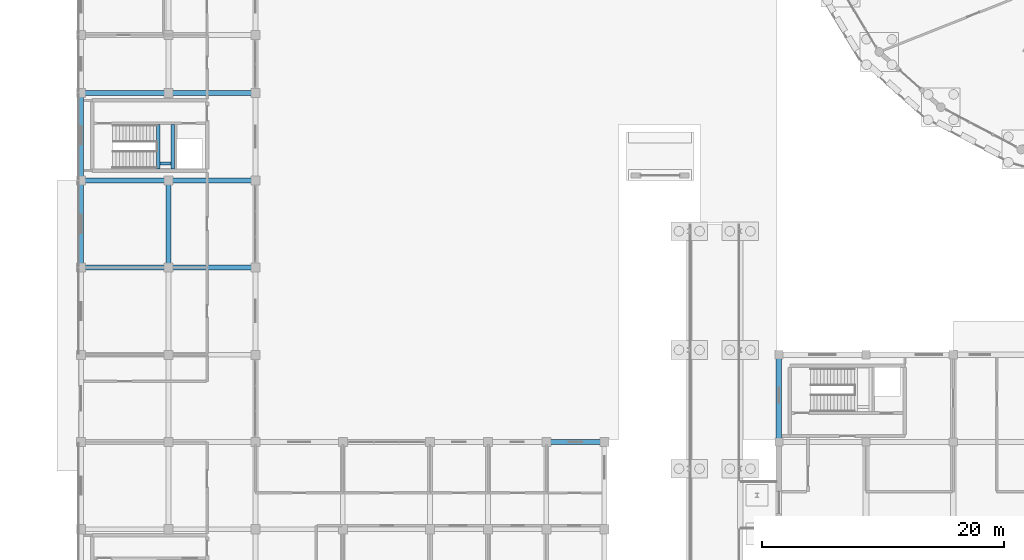
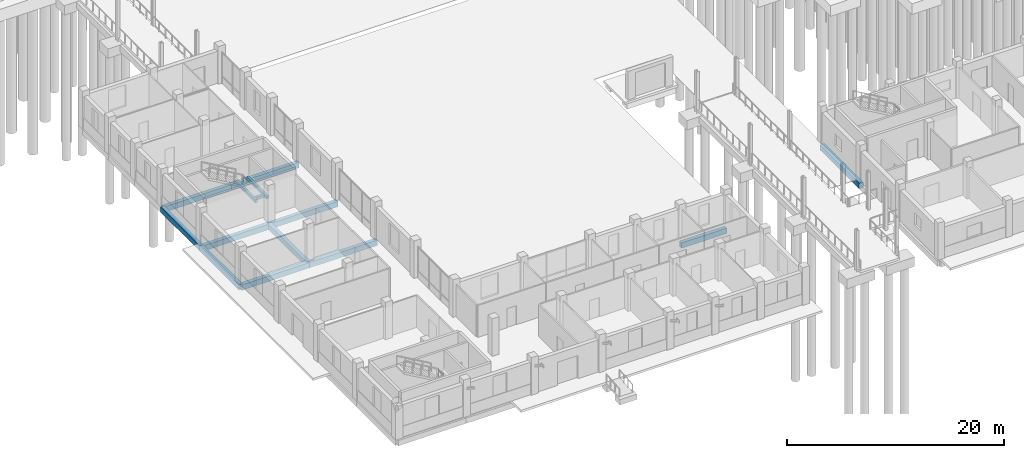
# One storey, part 23 of 98: 14 beams.
"""IFC4 building model written with IfcOpenShell, lengths in metres."""

import ifcopenshell
import ifcopenshell.guid

model = None  # the IFC model being written
_history = None  # IfcOwnerHistory: only IFC2X3 demands one
_inside = {}  # id of a spatial element -> (the spatial element, [elements in it])
_under = {}  # id of a project, library or spatial element -> (it, [spatial elements below it])
_declared = {}  # id of a project -> (the project, [libraries it declares])
_typed = {}  # id of a type object -> (the type object, [elements of that type])
_made_of = {}  # id of a material, layer set ... -> (it, [elements and type objects made of it])


def new_model(schema):
    """Start an empty IFC model of exactly this schema.

    Asked for "IFC4X3", IfcOpenShell would pick the latest addendum, in which some entities
    have other attributes; the version numbers below select the first issue.
    IFC2X3 requires an IfcOwnerHistory on every rooted entity: one is made here for all.
    """
    global model, _history
    if schema == "IFC4X3":
        model = ifcopenshell.file(schema_version=(4, 3, 0, 0))
    else:
        model = ifcopenshell.file(schema=schema)
    _inside.clear()
    _under.clear()
    _declared.clear()
    _typed.clear()
    _made_of.clear()
    _history = None
    if model.schema == "IFC2X3":
        org = make("IfcOrganization", Name="unknown")
        user = make(
            "IfcPersonAndOrganization",
            ThePerson=make("IfcPerson", FamilyName="unknown"),
            TheOrganization=org,
        )
        app = make(
            "IfcApplication",
            ApplicationDeveloper=org,
            Version="unknown",
            ApplicationFullName="unknown",
            ApplicationIdentifier="unknown",
        )
        _history = make(
            "IfcOwnerHistory",
            OwningUser=user,
            OwningApplication=app,
            ChangeAction="ADDED",
            CreationDate=0,
        )
    return model


def make(cls, **values):
    """One entity of the class cls with the attributes given. An attribute that is None is left unset."""
    return model.create_entity(
        cls, **{name: value for name, value in values.items() if value is not None}
    )


def rooted(cls, **values):
    """An entity with a GlobalId (a new one), such as an element, a storey or a relation."""
    return make(cls, GlobalId=ifcopenshell.guid.new(), OwnerHistory=_history, **values)


def si_unit(unit_type, name, prefix=None):
    """IfcSIUnit, for example si_unit("LENGTHUNIT", "METRE", prefix="MILLI")."""
    return make("IfcSIUnit", UnitType=unit_type, Prefix=prefix, Name=name)


def assignment(units):
    """IfcUnitAssignment: the units of a project."""
    return None if units is None else make("IfcUnitAssignment", Units=units)


def point(xyz):
    """IfcCartesianPoint."""
    return None if xyz is None else make("IfcCartesianPoint", Coordinates=xyz)


def direction(xyz):
    """IfcDirection."""
    return None if xyz is None else make("IfcDirection", DirectionRatios=xyz)


def frame(location, z_axis=None, x_axis=None):
    """IfcAxis2Placement3D, a coordinate frame: its origin and axes. An axis left out is left unset."""
    return make(
        "IfcAxis2Placement3D",
        Location=point(location),
        Axis=direction(z_axis),
        RefDirection=direction(x_axis),
    )


def frame_2d(location, x_axis=None):
    """IfcAxis2Placement2D, a coordinate frame in the plane: its origin and x axis."""
    return make(
        "IfcAxis2Placement2D", Location=point(location), RefDirection=direction(x_axis)
    )


def origin():
    """The frame at (0, 0, 0) with its axes left unset."""
    return frame((0.0, 0.0, 0.0))


def origin_2d():
    """The frame at (0, 0) in the plane with its x axis left unset."""
    return frame_2d((0.0, 0.0))


def place(relative_to, where):
    """IfcLocalPlacement: puts the frame where relative to a parent placement (None: the world)."""
    return make(
        "IfcLocalPlacement", PlacementRelTo=relative_to, RelativePlacement=where
    )


def context(
    kind, dimensions, precision=None, world=None, true_north=None, identifier=None
):
    """IfcGeometricRepresentationContext, for example the 3D "Model" context."""
    return make(
        "IfcGeometricRepresentationContext",
        ContextIdentifier=identifier,
        ContextType=kind,
        CoordinateSpaceDimension=dimensions,
        Precision=precision,
        WorldCoordinateSystem=world,
        TrueNorth=true_north,
    )


def subcontext(parent, identifier, kind, view, scale=None):
    """IfcGeometricRepresentationSubContext, for example "Body" below "Model"."""
    return make(
        "IfcGeometricRepresentationSubContext",
        ContextIdentifier=identifier,
        ContextType=kind,
        ParentContext=parent,
        TargetScale=scale,
        TargetView=view,
    )


def project(units=None, contexts=None):
    """IfcProject with its units and contexts."""
    return rooted(
        "IfcProject",
        Name="project",
        RepresentationContexts=contexts,
        UnitsInContext=assignment(units),
    )


def spatial(cls, under=None, at=None, **own):
    """A site, building, storey or space (cls), placed at a placement, below another one or the project."""
    s = rooted(cls, ObjectPlacement=at, **own)
    if under is not None:
        _under.setdefault(under.id(), (under, []))[1].append(s)
    return s


def profile(cls, at=None, kind="AREA", **sizes):
    """A parametric profile (cls). Its sizes go by their IFC names, for example OverallWidth=200.0."""
    return make(cls, ProfileType=kind, Position=at, **sizes)


def rectangle(**sizes):
    """IfcRectangleProfileDef."""
    return profile("IfcRectangleProfileDef", **sizes)


def extrude(swept, where, along, depth):
    """IfcExtrudedAreaSolid: the profile swept, set in the frame where, extruded along a direction by depth."""
    return make(
        "IfcExtrudedAreaSolid",
        SweptArea=swept,
        Position=where,
        ExtrudedDirection=direction(along),
        Depth=depth,
    )


def shape(context_of_items, identifier, shape_type, items):
    """IfcShapeRepresentation: the items that make up one representation, for example the "Body"."""
    return make(
        "IfcShapeRepresentation",
        ContextOfItems=context_of_items,
        RepresentationIdentifier=identifier,
        RepresentationType=shape_type,
        Items=items,
    )


def material(Name=None, Category=None):
    """IfcMaterial."""
    return make("IfcMaterial", Name=Name, Category=Category)


def material_profile(
    of_material, cross_section, Name=None, Category=None, Priority=None
):
    """IfcMaterialProfile: a cross section and its material."""
    return make(
        "IfcMaterialProfile",
        Name=Name,
        Material=of_material,
        Profile=cross_section,
        Priority=Priority,
        Category=Category,
    )


def profile_set(profiles, Name=None, composite=None):
    """IfcMaterialProfileSet."""
    return make(
        "IfcMaterialProfileSet",
        Name=Name,
        MaterialProfiles=profiles,
        CompositeProfile=composite,
    )


def made_of(thing, what):
    """Note that an element or type object is made of a material, layer set ...; save() writes the relation."""
    if what is not None:
        _made_of.setdefault(what.id(), (what, []))[1].append(thing)
    return thing


def type_object(cls, material=None, **own):
    """A type object (cls), such as IfcWallType, which elements share."""
    return made_of(rooted(cls, **own), material)


def element(
    cls,
    number,
    at=None,
    inside=None,
    cuts=None,
    type_object=None,
    material=None,
    context=None,
    identifier="Body",
    shape_type=None,
    held_by="IfcProductDefinitionShape",
    body=None,
    shapes=None,
    **own,
):
    """One element of the class cls, such as IfcWall. Its Tag is "e" and its number.

    at: its placement. inside: the storey or other place that contains it. cuts: it is an
    opening in that element (IfcRelVoidsElement). A single representation is given by context,
    identifier, shape_type and body (its items); several are given by shapes. held_by: the class
    of the entity that holds the representations. save() writes the other relations.
    """
    e = rooted(cls, Tag="e%d" % number, ObjectPlacement=at, **own)
    if body is not None:
        shapes = [shape(context, identifier, shape_type, body)]
    if shapes is not None:
        e.Representation = make(held_by, Representations=shapes)
    if inside is not None:
        _inside.setdefault(inside.id(), (inside, []))[1].append(e)
    if cuts is not None:
        rooted(
            "IfcRelVoidsElement", RelatingBuildingElement=cuts, RelatedOpeningElement=e
        )
    if type_object is not None:
        _typed.setdefault(type_object.id(), (type_object, []))[1].append(e)
    return made_of(e, material)


def aggregate(whole, parts):
    """IfcRelAggregates: a whole, such as a stair, and the parts it consists of."""
    return rooted("IfcRelAggregates", RelatingObject=whole, RelatedObjects=parts)


def save(model, path):
    """Write the relations noted so far, then the file.

    IfcRelAggregates (storeys below a building ...), IfcRelContainedInSpatialStructure (elements
    in a storey), IfcRelDefinesByType, IfcRelAssociatesMaterial and IfcRelDeclares: one each for
    every whole, place, type object, material and project.
    """
    for whole, parts in _under.values():
        aggregate(whole, parts)
    for where, things in _inside.values():
        rooted(
            "IfcRelContainedInSpatialStructure",
            RelatedElements=things,
            RelatingStructure=where,
        )
    for kind, things in _typed.values():
        rooted("IfcRelDefinesByType", RelatedObjects=things, RelatingType=kind)
    for what, things in _made_of.values():
        rooted("IfcRelAssociatesMaterial", RelatedObjects=things, RelatingMaterial=what)
    for by, libraries in _declared.values():
        rooted("IfcRelDeclares", RelatingContext=by, RelatedDefinitions=libraries)
    model.write(path)


model = new_model("IFC4")

# Units and contexts
model_context = context("Model", 3, precision=1e-05, world=origin(), true_north=direction((0.0, 1.0)))
body_context = subcontext(model_context, "Body", "Model", "MODEL_VIEW")
ifc_project = project(units=[si_unit("LENGTHUNIT", "METRE"), si_unit("AREAUNIT", "SQUARE_METRE"), si_unit("VOLUMEUNIT", "CUBIC_METRE"), si_unit("PLANEANGLEUNIT", "RADIAN"), si_unit("MASSUNIT", "GRAM", prefix="KILO")], contexts=[model_context])

# Site, building, storey
site_placement = place(None, origin())
site = spatial("IfcSite", under=ifc_project, at=site_placement, CompositionType="ELEMENT")
building_placement = place(site_placement, origin())
building = spatial("IfcBuilding", under=site, at=building_placement, Name="Zornivar Specialist Clinic", CompositionType="ELEMENT")
storey_placement = place(building_placement, origin())
storey = spatial("IfcBuildingStorey", under=building, at=storey_placement, Name="L00", CompositionType="ELEMENT", Elevation=0.0)

# Beams
ifc_material_1 = material(Name="Concrete C30/37", Category="concrete")
ifc_material_profile_1 = material_profile(ifc_material_1, rectangle(XDim=0.260009765625, YDim=0.340087890625, at=origin_2d()), Name="RC 260x340")
ifc_profile_set_1 = profile_set([ifc_material_profile_1], Name="Concrete C30/37")
beam_type_1 = type_object("IfcBeamType", Name="BM-LAND-260x340", PredefinedType="BEAM", material=ifc_profile_set_1)
for number, where, z_axis, x_axis, name in (
    (1, (6.360107421875, 36.93994140625, 1.8701171875), (0.0, 1.0, 0.0), (-1.0, 0.0, 0.0), "bm:stair:C2:L00:lW"),
    (2, (7.56005859375, 36.93994140625, 1.8701171875), (0.0, 1.0, 0.0), (-1.0, 0.0, 0.0), "bm:stair:C2:L00:lE"),
):
    element("IfcBeam", number, at=place(storey_placement, frame(where, z_axis=z_axis, x_axis=x_axis)), inside=storey, type_object=beam_type_1, Name=name, PredefinedType="BEAM", context=body_context, shape_type="SweptSolid", body=[
        extrude(rectangle(XDim=0.260009765625, YDim=0.340087890625, at=origin_2d()), origin(), (0.0, 0.0, 1.0), 3.66015625),
    ])
beam_1_placement = place(storey_placement, frame((6.4951171875, 37.3798828125, 1.8701171875), z_axis=(1.0, 0.0, 0.0), x_axis=(0.0, 1.0, 0.0)))
element("IfcBeam", 3, at=beam_1_placement, inside=storey, type_object=beam_type_1, Name="bm:stair:C2:L00:lS", PredefinedType="BEAM", context=body_context, shape_type="SweptSolid", body=[
    extrude(rectangle(XDim=0.260009765625, YDim=0.340087890625, at=origin_2d()), origin(), (0.0, 0.0, 1.0), 0.929931640625),
])
ifc_material_2 = material(Name="Concrete C30/37", Category="concrete")
ifc_material_profile_2 = material_profile(ifc_material_2, rectangle(XDim=0.39990234375, YDim=0.60009765625, at=origin_2d()), Name="RC 400x600")
ifc_profile_set_2 = profile_set([ifc_material_profile_2], Name="Concrete C30/37")
beam_type_2 = type_object("IfcBeamType", Name="BM-RC-400x600", PredefinedType="BEAM", material=ifc_profile_set_2)
beam_2_placement = place(storey_placement, frame((38.39990234375, 14.39990234375, -0.580078125), z_axis=(1.0, 0.0, 0.0), x_axis=(0.0, 1.0, 0.0)))
element("IfcBeam", 4, at=beam_2_placement, inside=storey, type_object=beam_type_2, Name="bm:V2:L00:x:144:6", PredefinedType="BEAM", context=body_context, shape_type="SweptSolid", body=[
    extrude(rectangle(XDim=0.39990234375, YDim=0.60009765625, at=origin_2d()), origin(), (0.0, 0.0, 1.0), 4.800048828125),
])
for number, where, z_axis, x_axis, name in (
    (5, (0.0, 28.800048828125, -0.580078125), (1.0, 0.0, 0.0), (0.0, 1.0, 0.0), "bm:V2:L00:x:288:0"),
    (6, (7.199951171875, 28.800048828125, -0.580078125), (1.0, 0.0, 0.0), (0.0, 1.0, 0.0), "bm:V2:L00:x:288:1"),
    (7, (0.0, 36.0, -0.580078125), (1.0, 0.0, 0.0), (0.0, 1.0, 0.0), "bm:V2:L00:x:360:0"),
    (8, (7.199951171875, 36.0, -0.580078125), (1.0, 0.0, 0.0), (0.0, 1.0, 0.0), "bm:V2:L00:x:360:1"),
    (9, (0.0, 43.199951171875, -0.580078125), (1.0, 0.0, 0.0), (0.0, 1.0, 0.0), "bm:V2:L00:x:432:0"),
    (10, (7.199951171875, 43.199951171875, -0.580078125), (1.0, 0.0, 0.0), (0.0, 1.0, 0.0), "bm:V2:L00:x:432:1"),
    (11, (7.199951171875, 28.800048828125, -0.580078125), (0.0, 1.0, 0.0), (-1.0, 0.0, 0.0), "bm:V2:L00:y:72:4"),
):
    element("IfcBeam", number, at=place(storey_placement, frame(where, z_axis=z_axis, x_axis=x_axis)), inside=storey, type_object=beam_type_2, Name=name, PredefinedType="BEAM", context=body_context, shape_type="SweptSolid", body=[
        extrude(rectangle(XDim=0.39990234375, YDim=0.60009765625, at=origin_2d()), origin(), (0.0, 0.0, 1.0), 7.199951171875),
    ])
ifc_material_3 = material(Name="Concrete C30/37", Category="concrete")
ifc_material_profile_3 = material_profile(ifc_material_3, rectangle(XDim=0.389892578125, YDim=0.60009765625, at=origin_2d()), Name="RC 390x600")
ifc_profile_set_3 = profile_set([ifc_material_profile_3], Name="Concrete C30/37")
beam_type_3 = type_object("IfcBeamType", Name="BM-RC-SPANDREL-390x600", PredefinedType="SPANDREL", material=ifc_profile_set_3)
for number, where, z_axis, x_axis, name in (
    (12, (0.0, 28.800048828125, -0.580078125), (0.0, 1.0, 0.0), (-1.0, 0.0, 0.0), "bm:V2:L00:y:0:4"),
    (13, (0.0, 36.0, -0.580078125), (0.0, 1.0, 0.0), (-1.0, 0.0, 0.0), "bm:V2:L00:y:0:5"),
):
    element("IfcBeam", number, at=place(storey_placement, frame(where, z_axis=z_axis, x_axis=x_axis)), inside=storey, type_object=beam_type_3, Name=name, PredefinedType="SPANDREL", context=body_context, shape_type="SweptSolid", body=[
        extrude(rectangle(XDim=0.389892578125, YDim=0.60009765625, at=origin_2d()), origin(), (0.0, 0.0, 1.0), 7.199951171875),
    ])
ifc_material_4 = material(Name="Concrete C30/37", Category="concrete")
ifc_material_profile_4 = material_profile(ifc_material_4, rectangle(XDim=0.4599609375, YDim=0.60009765625, at=origin_2d()), Name="RC 460x600")
ifc_profile_set_4 = profile_set([ifc_material_profile_4], Name="Concrete C30/37")
beam_type_4 = type_object("IfcBeamType", Name="BM-RC-SPANDREL-460x600", PredefinedType="SPANDREL", material=ifc_profile_set_4)
beam_3_placement = place(storey_placement, frame((57.60009765625, 14.39990234375, -0.64990234375), z_axis=(0.0, 1.0, 0.0), x_axis=(-1.0, 0.0, 0.0)))
element("IfcBeam", 14, at=beam_3_placement, inside=storey, type_object=beam_type_4, Name="bm:V3:L00:y:576:2", PredefinedType="SPANDREL", context=body_context, shape_type="SweptSolid", body=[
    extrude(rectangle(XDim=0.4599609375, YDim=0.60009765625, at=origin_2d()), origin(), (0.0, 0.0, 1.0), 7.2001953125),
])

save(model, "model.ifc")
